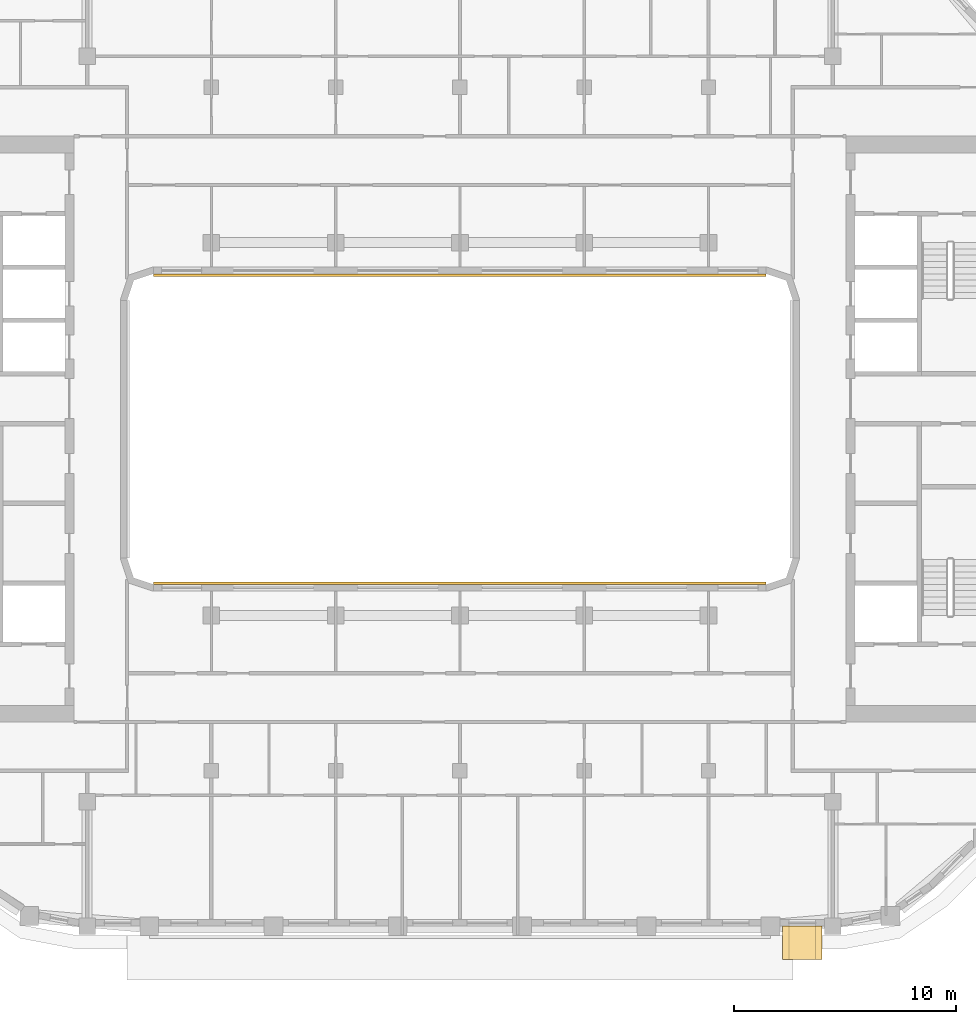
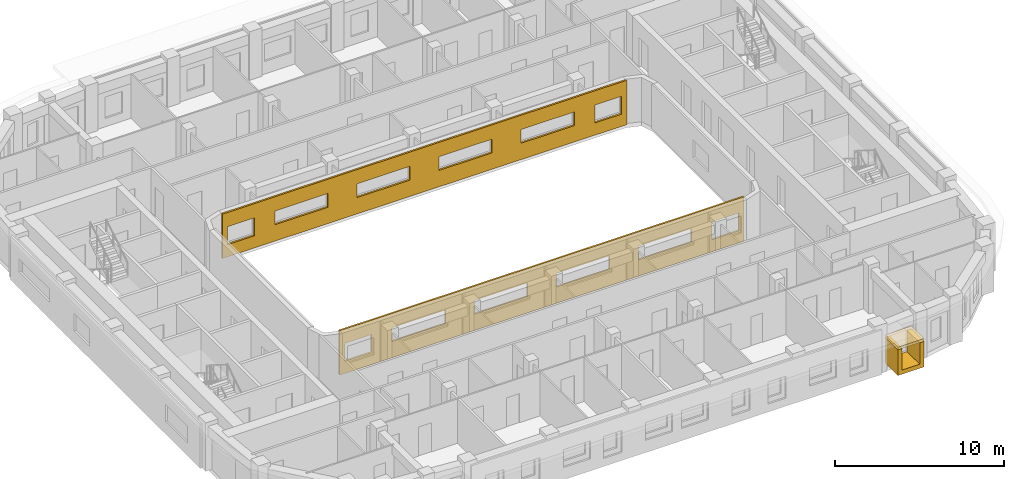
# One storey, part 15 of 21: 4 coverings.
"""IFC4 building model written with IfcOpenShell, lengths in metres."""

from ifc_helpers import new_model, si_unit, direction, frame, origin, origin_2d, place, context, subcontext, project, spatial, polyline, rectangle, outline, extrude, material, layer, layer_set, type_object, element, save


model = new_model("IFC4")

# Units and contexts
model_context = context("Model", 3, precision=1e-05, world=origin(), true_north=direction((0.0, 1.0)))
body_context = subcontext(model_context, "Body", "Model", "MODEL_VIEW")
ifc_project = project(units=[si_unit("LENGTHUNIT", "METRE"), si_unit("AREAUNIT", "SQUARE_METRE"), si_unit("VOLUMEUNIT", "CUBIC_METRE"), si_unit("PLANEANGLEUNIT", "RADIAN"), si_unit("MASSUNIT", "GRAM", prefix="KILO")], contexts=[model_context])

# Site, building, storey
site_placement = place(None, origin())
site = spatial("IfcSite", under=ifc_project, at=site_placement, CompositionType="ELEMENT")
building_placement = place(site_placement, origin())
building = spatial("IfcBuilding", under=site, at=building_placement, Name="Kiln Ring Residences", CompositionType="ELEMENT")
storey_placement = place(building_placement, frame((0.0, 0.0, 216.89990234375)))
storey = spatial("IfcBuildingStorey", under=building, at=storey_placement, Name="L56", CompositionType="ELEMENT", Elevation=216.89990234375)

# Coverings
ifc_material_1 = material(Name="Brick masonry, dark clay brick", Category="masonry")
ifc_layer_1 = layer(ifc_material_1, 0.300048828125)
ifc_layer_set_1 = layer_set([ifc_layer_1], Name="FRAME CHEEKS AND SILL 1500")
covering_type_1 = type_object("IfcCoveringType", Name="FRAME CHEEKS AND SILL 1500", PredefinedType="CLADDING", material=ifc_layer_set_1)
covering_1_placement = place(storey_placement, frame((14.52490234375, -23.14990234375, 0.300048828125), z_axis=(0.0, 0.0, 1.0), x_axis=(1.0, 0.0, 0.0)))
element("IfcCovering", 1, at=covering_1_placement, inside=storey, type_object=covering_type_1, Name="FRAME L56", PredefinedType="CLADDING", context=body_context, shape_type="SweptSolid", body=[
    extrude(outline(polyline([(0.0, 0.0), (1.800048828125, 0.0), (1.800048828125, 1.85009765625), (1.5009765625, 1.85009765625), (1.5, 0.300048828125), (0.300048828125, 0.300048828125), (0.299072265625, 1.85009765625), (0.0, 1.85009765625), (0.0, 0.0)])), frame((0.0, 0.75, 0.0), z_axis=(0.0, -1.0, 0.0), x_axis=(1.0, 0.0, 0.0)), (0.0, 0.0, 1.0), 1.5),
])
ifc_material_2 = material(Name="Brick masonry, dark clay brick", Category="masonry")
ifc_layer_2 = layer(ifc_material_2, 0.199951171875)
ifc_layer_set_2 = layer_set([ifc_layer_2], Name="FRAME HEAD 1500")
covering_type_2 = type_object("IfcCoveringType", Name="FRAME HEAD 1500", PredefinedType="CLADDING", material=ifc_layer_set_2)
covering_2_placement = place(storey_placement, frame((15.425048828125, -23.14990234375, 2.14990234375), z_axis=(0.0, 0.0, 1.0), x_axis=(1.0, 0.0, 0.0)))
element("IfcCovering", 2, at=covering_2_placement, inside=storey, type_object=covering_type_2, Name="FRAME HEAD L56", PredefinedType="CLADDING", context=body_context, shape_type="SweptSolid", body=[
    extrude(rectangle(XDim=1.800048828125, YDim=1.5, at=origin_2d()), origin(), (0.0, 0.0, 1.0), 0.199951171875),
])
ifc_material_3 = material(Name="Brick masonry, dark clay brick", Category="masonry")
ifc_layer_3 = layer(ifc_material_3, 0.1201171875)
ifc_layer_set_3 = layer_set([ifc_layer_3], Name="RAINSCREEN PANEL 120")
covering_type_3 = type_object("IfcCoveringType", Name="RAINSCREEN PANEL 120", PredefinedType="CLADDING", material=ifc_layer_set_3)
for number, where, z_axis, x_axis, name in (
    (3, (-13.800048828125, 6.93994140625, 0.0), (0.0, 0.0, 1.0), (1.0, 0.0, 0.0), "RAINSCREEN L56"),
    (4, (13.800048828125, -6.93994140625, 0.0), (0.0, 0.0, 1.0), (-1.0, 0.0, 0.0), "RAINSCREEN L56"),
):
    element("IfcCovering", number, at=place(storey_placement, frame(where, z_axis=z_axis, x_axis=x_axis)), inside=storey, type_object=covering_type_3, Name=name, PredefinedType="CLADDING", context=body_context, shape_type="SweptSolid", body=[
        extrude(outline(polyline([(0.0, 0.0), (27.60009765625, 0.0), (27.60009765625, 3.2001953125), (0.0, 3.2001953125), (0.0, 0.0)]), holes=[polyline([(2.1826171875, 0.880126953125), (2.1826171875, 2.170166015625), (0.342529296875, 2.170166015625), (0.342529296875, 0.880126953125), (2.1826171875, 0.880126953125)]), polyline([(25.41748046875, 0.880126953125), (27.257568359375, 0.880126953125), (27.257568359375, 2.170166015625), (25.41748046875, 2.170166015625), (25.41748046875, 0.880126953125)]), polyline([(3.580078125, 1.18017578125), (7.219970703125, 1.18017578125), (7.219970703125, 2.170166015625), (3.580078125, 2.170166015625), (3.580078125, 1.18017578125)]), polyline([(12.820068359375, 1.18017578125), (12.820068359375, 2.170166015625), (9.179931640625, 2.170166015625), (9.179931640625, 1.18017578125), (12.820068359375, 1.18017578125)]), polyline([(14.780029296875, 1.18017578125), (18.419921875, 1.18017578125), (18.419921875, 2.170166015625), (14.780029296875, 2.170166015625), (14.780029296875, 1.18017578125)]), polyline([(20.3798828125, 1.18017578125), (24.02001953125, 1.18017578125), (24.02001953125, 2.170166015625), (20.3798828125, 2.170166015625), (20.3798828125, 1.18017578125)])]), frame((0.0, 0.06005859375, 0.0), z_axis=(0.0, -1.0, 0.0), x_axis=(1.0, 0.0, 0.0)), (0.0, 0.0, 1.0), 0.1201171875),
    ])

save(model, "model.ifc")
